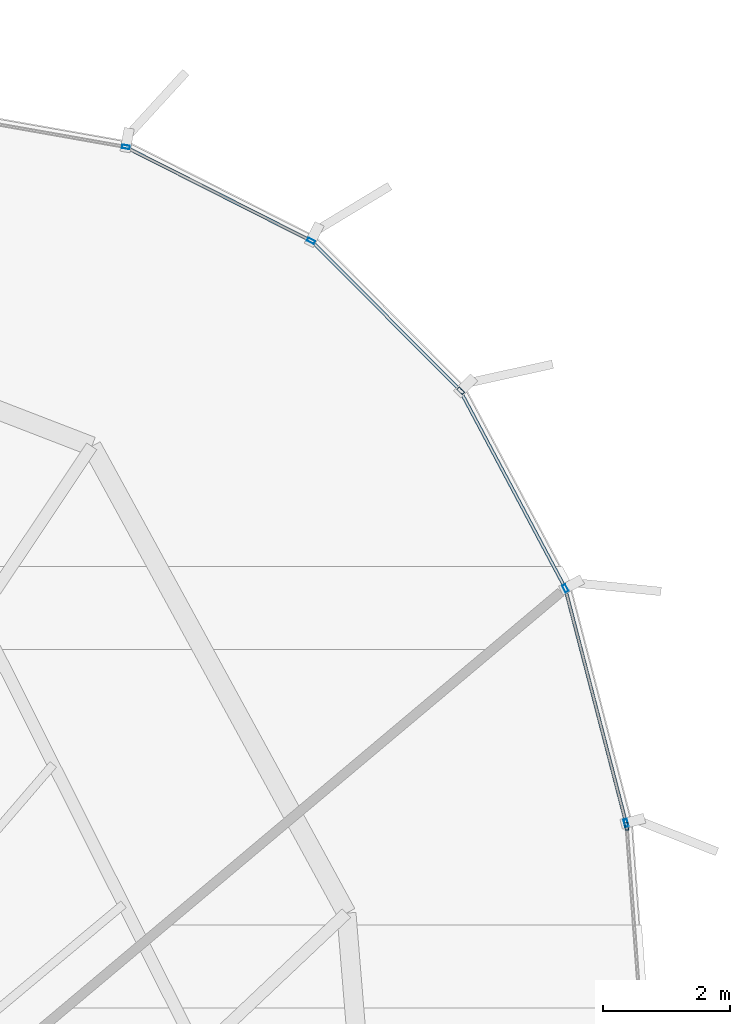
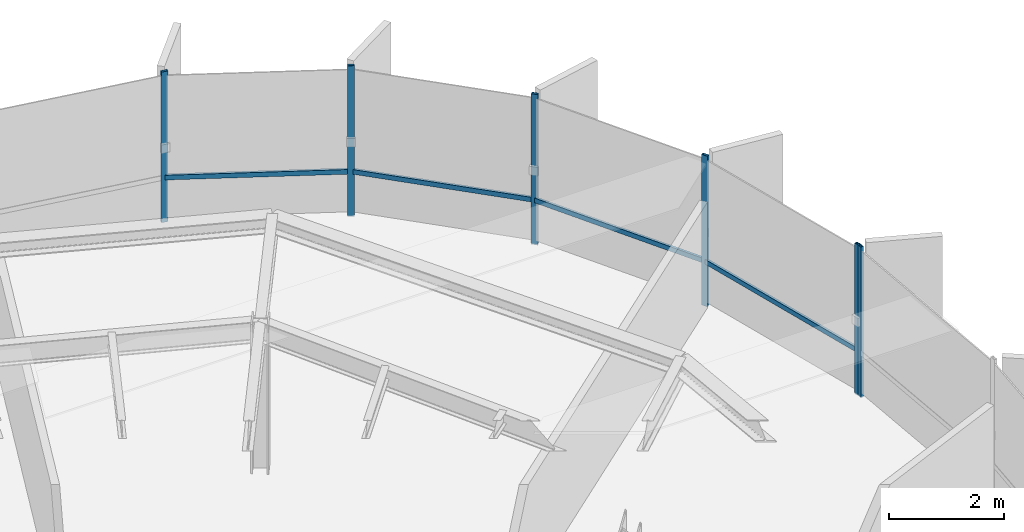
# One storey, part 24 of 32: 10 members, 3 elements without a shape of their own.
"""IFC4 building model written with IfcOpenShell, lengths in metres."""

import ifcopenshell
import ifcopenshell.guid

model = None  # the IFC model being written
_history = None  # IfcOwnerHistory: only IFC2X3 demands one
_inside = {}  # id of a spatial element -> (the spatial element, [elements in it])
_under = {}  # id of a project, library or spatial element -> (it, [spatial elements below it])
_declared = {}  # id of a project -> (the project, [libraries it declares])
_typed = {}  # id of a type object -> (the type object, [elements of that type])
_made_of = {}  # id of a material, layer set ... -> (it, [elements and type objects made of it])


def new_model(schema):
    """Start an empty IFC model of exactly this schema.

    Asked for "IFC4X3", IfcOpenShell would pick the latest addendum, in which some entities
    have other attributes; the version numbers below select the first issue.
    IFC2X3 requires an IfcOwnerHistory on every rooted entity: one is made here for all.
    """
    global model, _history
    if schema == "IFC4X3":
        model = ifcopenshell.file(schema_version=(4, 3, 0, 0))
    else:
        model = ifcopenshell.file(schema=schema)
    _inside.clear()
    _under.clear()
    _declared.clear()
    _typed.clear()
    _made_of.clear()
    _history = None
    if model.schema == "IFC2X3":
        org = make("IfcOrganization", Name="unknown")
        user = make(
            "IfcPersonAndOrganization",
            ThePerson=make("IfcPerson", FamilyName="unknown"),
            TheOrganization=org,
        )
        app = make(
            "IfcApplication",
            ApplicationDeveloper=org,
            Version="unknown",
            ApplicationFullName="unknown",
            ApplicationIdentifier="unknown",
        )
        _history = make(
            "IfcOwnerHistory",
            OwningUser=user,
            OwningApplication=app,
            ChangeAction="ADDED",
            CreationDate=0,
        )
    return model


def make(cls, **values):
    """One entity of the class cls with the attributes given. An attribute that is None is left unset."""
    return model.create_entity(
        cls, **{name: value for name, value in values.items() if value is not None}
    )


def rooted(cls, **values):
    """An entity with a GlobalId (a new one), such as an element, a storey or a relation."""
    return make(cls, GlobalId=ifcopenshell.guid.new(), OwnerHistory=_history, **values)


def si_unit(unit_type, name, prefix=None):
    """IfcSIUnit, for example si_unit("LENGTHUNIT", "METRE", prefix="MILLI")."""
    return make("IfcSIUnit", UnitType=unit_type, Prefix=prefix, Name=name)


def assignment(units):
    """IfcUnitAssignment: the units of a project."""
    return None if units is None else make("IfcUnitAssignment", Units=units)


def point(xyz):
    """IfcCartesianPoint."""
    return None if xyz is None else make("IfcCartesianPoint", Coordinates=xyz)


def direction(xyz):
    """IfcDirection."""
    return None if xyz is None else make("IfcDirection", DirectionRatios=xyz)


def frame(location, z_axis=None, x_axis=None):
    """IfcAxis2Placement3D, a coordinate frame: its origin and axes. An axis left out is left unset."""
    return make(
        "IfcAxis2Placement3D",
        Location=point(location),
        Axis=direction(z_axis),
        RefDirection=direction(x_axis),
    )


def frame_2d(location, x_axis=None):
    """IfcAxis2Placement2D, a coordinate frame in the plane: its origin and x axis."""
    return make(
        "IfcAxis2Placement2D", Location=point(location), RefDirection=direction(x_axis)
    )


def origin():
    """The frame at (0, 0, 0) with its axes left unset."""
    return frame((0.0, 0.0, 0.0))


def origin_2d():
    """The frame at (0, 0) in the plane with its x axis left unset."""
    return frame_2d((0.0, 0.0))


def place(relative_to, where):
    """IfcLocalPlacement: puts the frame where relative to a parent placement (None: the world)."""
    return make(
        "IfcLocalPlacement", PlacementRelTo=relative_to, RelativePlacement=where
    )


def context(
    kind, dimensions, precision=None, world=None, true_north=None, identifier=None
):
    """IfcGeometricRepresentationContext, for example the 3D "Model" context."""
    return make(
        "IfcGeometricRepresentationContext",
        ContextIdentifier=identifier,
        ContextType=kind,
        CoordinateSpaceDimension=dimensions,
        Precision=precision,
        WorldCoordinateSystem=world,
        TrueNorth=true_north,
    )


def subcontext(parent, identifier, kind, view, scale=None):
    """IfcGeometricRepresentationSubContext, for example "Body" below "Model"."""
    return make(
        "IfcGeometricRepresentationSubContext",
        ContextIdentifier=identifier,
        ContextType=kind,
        ParentContext=parent,
        TargetScale=scale,
        TargetView=view,
    )


def project(units=None, contexts=None):
    """IfcProject with its units and contexts."""
    return rooted(
        "IfcProject",
        Name="project",
        RepresentationContexts=contexts,
        UnitsInContext=assignment(units),
    )


def spatial(cls, under=None, at=None, **own):
    """A site, building, storey or space (cls), placed at a placement, below another one or the project."""
    s = rooted(cls, ObjectPlacement=at, **own)
    if under is not None:
        _under.setdefault(under.id(), (under, []))[1].append(s)
    return s


def profile(cls, at=None, kind="AREA", **sizes):
    """A parametric profile (cls). Its sizes go by their IFC names, for example OverallWidth=200.0."""
    return make(cls, ProfileType=kind, Position=at, **sizes)


def hollow_rectangle(**sizes):
    """IfcRectangleHollowProfileDef."""
    return profile("IfcRectangleHollowProfileDef", **sizes)


def extrude(swept, where, along, depth):
    """IfcExtrudedAreaSolid: the profile swept, set in the frame where, extruded along a direction by depth."""
    return make(
        "IfcExtrudedAreaSolid",
        SweptArea=swept,
        Position=where,
        ExtrudedDirection=direction(along),
        Depth=depth,
    )


def shape(context_of_items, identifier, shape_type, items):
    """IfcShapeRepresentation: the items that make up one representation, for example the "Body"."""
    return make(
        "IfcShapeRepresentation",
        ContextOfItems=context_of_items,
        RepresentationIdentifier=identifier,
        RepresentationType=shape_type,
        Items=items,
    )


def source(mapping_origin, context_of_items, identifier, shape_type, items):
    """IfcRepresentationMap: a shape defined once, which mapped items show again and again."""
    return make(
        "IfcRepresentationMap",
        MappingOrigin=mapping_origin,
        MappedRepresentation=shape(context_of_items, identifier, shape_type, items),
    )


def transform(
    local_origin,
    x_axis=None,
    y_axis=None,
    z_axis=None,
    scale=None,
    scale2=None,
    scale3=None,
    uniform=True,
):
    """IfcCartesianTransformationOperator3D, or its non-uniform kind. x_axis, y_axis, z_axis: its Axis1, 2, 3."""
    if uniform:
        return make(
            "IfcCartesianTransformationOperator3D",
            Axis1=direction(x_axis),
            Axis2=direction(y_axis),
            LocalOrigin=point(local_origin),
            Scale=scale,
            Axis3=direction(z_axis),
        )
    return make(
        "IfcCartesianTransformationOperator3DnonUniform",
        Axis1=direction(x_axis),
        Axis2=direction(y_axis),
        LocalOrigin=point(local_origin),
        Scale=scale,
        Axis3=direction(z_axis),
        Scale2=scale2,
        Scale3=scale3,
    )


def mapped(mapping_source, mapping_target):
    """IfcMappedItem: shows the shape of a source again, moved by a transform."""
    return make(
        "IfcMappedItem", MappingSource=mapping_source, MappingTarget=mapping_target
    )


def material(Name=None, Category=None):
    """IfcMaterial."""
    return make("IfcMaterial", Name=Name, Category=Category)


def layer(
    of_material, thickness, ventilated=None, Name=None, Category=None, Priority=None
):
    """IfcMaterialLayer: one layer of a wall or slab, of a material (None: an air gap)."""
    return make(
        "IfcMaterialLayer",
        Material=of_material,
        LayerThickness=thickness,
        IsVentilated=ventilated,
        Name=Name,
        Category=Category,
        Priority=Priority,
    )


def layer_set(layers, Name=None):
    """IfcMaterialLayerSet."""
    return make("IfcMaterialLayerSet", MaterialLayers=layers, LayerSetName=Name)


def material_profile(
    of_material, cross_section, Name=None, Category=None, Priority=None
):
    """IfcMaterialProfile: a cross section and its material."""
    return make(
        "IfcMaterialProfile",
        Name=Name,
        Material=of_material,
        Profile=cross_section,
        Priority=Priority,
        Category=Category,
    )


def profile_set(profiles, Name=None, composite=None):
    """IfcMaterialProfileSet."""
    return make(
        "IfcMaterialProfileSet",
        Name=Name,
        MaterialProfiles=profiles,
        CompositeProfile=composite,
    )


def made_of(thing, what):
    """Note that an element or type object is made of a material, layer set ...; save() writes the relation."""
    if what is not None:
        _made_of.setdefault(what.id(), (what, []))[1].append(thing)
    return thing


def type_object(cls, material=None, **own):
    """A type object (cls), such as IfcWallType, which elements share."""
    return made_of(rooted(cls, **own), material)


def element(
    cls,
    number,
    at=None,
    inside=None,
    cuts=None,
    type_object=None,
    material=None,
    context=None,
    identifier="Body",
    shape_type=None,
    held_by="IfcProductDefinitionShape",
    body=None,
    shapes=None,
    **own,
):
    """One element of the class cls, such as IfcWall. Its Tag is "e" and its number.

    at: its placement. inside: the storey or other place that contains it. cuts: it is an
    opening in that element (IfcRelVoidsElement). A single representation is given by context,
    identifier, shape_type and body (its items); several are given by shapes. held_by: the class
    of the entity that holds the representations. save() writes the other relations.
    """
    e = rooted(cls, Tag="e%d" % number, ObjectPlacement=at, **own)
    if body is not None:
        shapes = [shape(context, identifier, shape_type, body)]
    if shapes is not None:
        e.Representation = make(held_by, Representations=shapes)
    if inside is not None:
        _inside.setdefault(inside.id(), (inside, []))[1].append(e)
    if cuts is not None:
        rooted(
            "IfcRelVoidsElement", RelatingBuildingElement=cuts, RelatedOpeningElement=e
        )
    if type_object is not None:
        _typed.setdefault(type_object.id(), (type_object, []))[1].append(e)
    return made_of(e, material)


def aggregate(whole, parts):
    """IfcRelAggregates: a whole, such as a stair, and the parts it consists of."""
    return rooted("IfcRelAggregates", RelatingObject=whole, RelatedObjects=parts)


def save(model, path):
    """Write the relations noted so far, then the file.

    IfcRelAggregates (storeys below a building ...), IfcRelContainedInSpatialStructure (elements
    in a storey), IfcRelDefinesByType, IfcRelAssociatesMaterial and IfcRelDeclares: one each for
    every whole, place, type object, material and project.
    """
    for whole, parts in _under.values():
        aggregate(whole, parts)
    for where, things in _inside.values():
        rooted(
            "IfcRelContainedInSpatialStructure",
            RelatedElements=things,
            RelatingStructure=where,
        )
    for kind, things in _typed.values():
        rooted("IfcRelDefinesByType", RelatedObjects=things, RelatingType=kind)
    for what, things in _made_of.values():
        rooted("IfcRelAssociatesMaterial", RelatedObjects=things, RelatingMaterial=what)
    for by, libraries in _declared.values():
        rooted("IfcRelDeclares", RelatingContext=by, RelatedDefinitions=libraries)
    model.write(path)


model = new_model("IFC4")

# Units and contexts
model_context = context("Model", 3, precision=1e-05, world=origin(), true_north=direction((0.0, 1.0)))
body_context = subcontext(model_context, "Body", "Model", "MODEL_VIEW")
ifc_project = project(units=[si_unit("LENGTHUNIT", "METRE"), si_unit("AREAUNIT", "SQUARE_METRE"), si_unit("VOLUMEUNIT", "CUBIC_METRE"), si_unit("PLANEANGLEUNIT", "RADIAN"), si_unit("MASSUNIT", "GRAM", prefix="KILO"), si_unit("THERMODYNAMICTEMPERATUREUNIT", "KELVIN")], contexts=[model_context])

# Site, building, storey
site_placement = place(None, origin())
site = spatial("IfcSite", under=ifc_project, at=site_placement, CompositionType="ELEMENT")
building_placement = place(site_placement, origin())
building = spatial("IfcBuilding", under=site, at=building_placement, Name="Kethvar Cultural Tower", CompositionType="ELEMENT")
storey_placement = place(building_placement, frame((0.0, 0.0, 252.550048828125)))
storey = spatial("IfcBuildingStorey", under=building, at=storey_placement, Name="L66", CompositionType="ELEMENT", Elevation=252.550048828125)

# Curtain wall, members
ifc_material = material(Name="Aluminium 6063-T6", Category="aluminium")
ifc_layer = layer(ifc_material, 0.179931640625, Name="Aluminium 6063-T6", Category="aluminium")
ifc_layer_set = layer_set([ifc_layer], Name="Aluminium 6063-T6 (180 mm)")
curtain_wall_type = type_object("IfcCurtainWallType", Name="CW-SYS-05-Z56", PredefinedType="NOTDEFINED", material=ifc_layer_set)
curtain_wall_1_placement = place(storey_placement, origin())
curtain_wall_1 = element("IfcCurtainWall", 1, at=curtain_wall_1_placement, inside=storey, type_object=curtain_wall_type, Name="L66 Curtain Wall Run 01", PredefinedType="NOTDEFINED")
ifc_material_profile_1 = material_profile(ifc_material, hollow_rectangle(XDim=0.054931640625, YDim=0.1201171875, WallThickness=0.00390625, at=origin_2d()), Name="Aluminium 6063-T6 — RHS120x55x4")
ifc_profile_set_1 = profile_set([ifc_material_profile_1], Name="Aluminium 6063-T6 — RHS120x55x4")
member_type_1 = type_object("IfcMemberType", Name="CW-SYS-05-Z56-MUL", PredefinedType="MULLION", material=ifc_profile_set_1)
shared_shape_1 = source(origin(), body_context, "Body", "SweptSolid", [
    extrude(hollow_rectangle(XDim=0.054931640625, YDim=0.1201171875, WallThickness=0.00390625, at=origin_2d()), origin(), (0.0, 0.0, 1.0), 3.2099609375),
])
member_1_placement = place(storey_placement, frame((63.096435546875, 50.262939453125, 0.0), z_axis=(0.0, 0.0, 1.0), x_axis=(-0.451142356383, -0.892452001106, 0.0)))
member_1 = element("IfcMember", 2, at=member_1_placement, type_object=member_type_1, Name="CW-L66-R01 Mullion 1", PredefinedType="MULLION", context=body_context, shape_type="MappedRepresentation", body=[
    mapped(shared_shape_1, transform((0.0, 0.0, 0.0), scale=1.0)),
])
member_2_placement = place(storey_placement, frame((60.18896484375, 51.737548828125, 0.0), z_axis=(0.0, 0.0, 1.0), x_axis=(-0.17388880641, -0.984765293359, 0.0)))
member_2 = element("IfcMember", 3, at=member_2_placement, type_object=member_type_1, Name="CW-L66-R01 Mullion 2", PredefinedType="MULLION", context=body_context, shape_type="MappedRepresentation", body=[
    mapped(shared_shape_1, transform((0.0, 0.0, 0.0), scale=1.0)),
])

# Curtain wall, member
curtain_wall_2_placement = place(storey_placement, origin())
curtain_wall_2 = element("IfcCurtainWall", 4, at=curtain_wall_2_placement, inside=storey, type_object=curtain_wall_type, Name="L66 Curtain Wall Run 06", PredefinedType="NOTDEFINED")
member_3_placement = place(storey_placement, frame((68.053955078125, 41.06640625, 0.0), z_axis=(0.0, 0.0, 1.0), x_axis=(-0.997272129635, -0.073812596851, 0.0)))
member_3 = element("IfcMember", 5, at=member_3_placement, type_object=member_type_1, Name="CW-L66-R06 Mullion 7", PredefinedType="MULLION", context=body_context, shape_type="MappedRepresentation", body=[
    mapped(shared_shape_1, transform((0.0, 0.0, 0.0), scale=1.0)),
])
aggregate(curtain_wall_2, [member_3])

# Curtain wall, members
curtain_wall_3_placement = place(storey_placement, origin())
curtain_wall_3 = element("IfcCurtainWall", 6, at=curtain_wall_3_placement, inside=storey, type_object=curtain_wall_type, Name="L66 Curtain Wall Run 07", PredefinedType="NOTDEFINED")
member_4_placement = place(storey_placement, frame((68.04541015625, 41.118896484375, 0.0), z_axis=(0.0, 0.0, 1.0), x_axis=(-0.96792877399, -0.251224776808, 0.0)))
member_4 = element("IfcMember", 7, at=member_4_placement, type_object=member_type_1, Name="CW-L66-R07 Mullion 1", PredefinedType="MULLION", context=body_context, shape_type="MappedRepresentation", body=[
    mapped(shared_shape_1, transform((0.0, 0.0, 0.0), scale=1.0)),
])
member_5_placement = place(storey_placement, frame((67.09130859375, 44.80517578125, 0.0), z_axis=(0.0, 0.0, 1.0), x_axis=(-0.882841050414, -0.469671885154, 0.0)))
member_5 = element("IfcMember", 8, at=member_5_placement, type_object=member_type_1, Name="CW-L66-R07 Mullion 2", PredefinedType="MULLION", context=body_context, shape_type="MappedRepresentation", body=[
    mapped(shared_shape_1, transform((0.0, 0.0, 0.0), scale=1.0)),
])
member_6_placement = place(storey_placement, frame((65.44580078125, 47.9072265625, 0.0), z_axis=(0.0, 0.0, 1.0), x_axis=(-0.709361636127, -0.70484471282, 0.0)))
member_6 = element("IfcMember", 9, at=member_6_placement, type_object=member_type_1, Name="CW-L66-R07 Mullion 3", PredefinedType="MULLION", context=body_context, shape_type="MappedRepresentation", body=[
    mapped(shared_shape_1, transform((0.0, 0.0, 0.0), scale=1.0)),
])

# Member
ifc_material_profile_2 = material_profile(ifc_material, hollow_rectangle(XDim=0.050048828125, YDim=0.10009765625, WallThickness=0.00390625, at=origin_2d()), Name="Aluminium 6063-T6 — RHS100x50x4")
ifc_profile_set_2 = profile_set([ifc_material_profile_2], Name="Aluminium 6063-T6 — RHS100x50x4")
member_type_2 = type_object("IfcMemberType", Name="CW-SYS-05-Z56-TRN", PredefinedType="USERDEFINED", material=ifc_profile_set_2)
shared_shape_2 = source(origin(), body_context, "Body", "SweptSolid", [
    extrude(hollow_rectangle(XDim=0.050048828125, YDim=0.10009765625, WallThickness=0.00390625, at=origin_2d()), origin(), (0.0, 0.0, 1.0), 3.24560546875),
])
member_7_placement = place(storey_placement, frame((63.093017578125, 50.2646484375, 0.949951171875), z_axis=(-0.892432514806, 0.451180902209, 0.0), x_axis=(-0.451180902209, -0.892432514806, 0.0)))
member_7 = element("IfcMember", 10, at=member_7_placement, type_object=member_type_2, Name="CW-L66-R01 Transom 1", ObjectType="TRANSOM", PredefinedType="USERDEFINED", context=body_context, shape_type="MappedRepresentation", body=[
    mapped(shared_shape_2, transform((0.0, 0.0, 0.0), scale=1.0)),
])

aggregate(curtain_wall_1, [member_1, member_2, member_7])

member_8_placement = place(storey_placement, frame((65.41796875, 47.935302734375, 0.949951171875), z_axis=(-0.704846467782, 0.709359892336, 0.0), x_axis=(-0.709359892336, -0.704846467782, 0.0)))
member_8 = element("IfcMember", 11, at=member_8_placement, type_object=member_type_2, Name="CW-L66-R07 Transom 3", ObjectType="TRANSOM", PredefinedType="USERDEFINED", context=body_context, shape_type="MappedRepresentation", body=[
    mapped(shared_shape_2, transform((0.0, 0.0, 0.0), scale=1.0)),
])

shared_shape_3 = source(origin(), body_context, "Body", "SweptSolid", [
    extrude(hollow_rectangle(XDim=0.050048828125, YDim=0.10009765625, WallThickness=0.00390625, at=origin_2d()), origin(), (0.0, 0.0, 1.0), 3.461181640625),
])
member_9_placement = place(storey_placement, frame((67.07275390625, 44.840087890625, 0.949951171875), z_axis=(-0.469698365479, 0.882826962358, 0.0), x_axis=(-0.882826962358, -0.469698365479, 0.0)))
member_9 = element("IfcMember", 12, at=member_9_placement, type_object=member_type_2, Name="CW-L66-R07 Transom 2", ObjectType="TRANSOM", PredefinedType="USERDEFINED", context=body_context, shape_type="MappedRepresentation", body=[
    mapped(shared_shape_3, transform((0.0, 0.0, 0.0), scale=1.0)),
])

shared_shape_4 = source(origin(), body_context, "Body", "SweptSolid", [
    extrude(hollow_rectangle(XDim=0.050048828125, YDim=0.10009765625, WallThickness=0.00390625, at=origin_2d()), origin(), (0.0, 0.0, 1.0), 3.787841796875),
])
member_10_placement = place(storey_placement, frame((68.04443359375, 41.12255859375, 0.949951171875), z_axis=(-0.251246231214, 0.96792320527, 0.0), x_axis=(-0.96792320527, -0.251246231214, 0.0)))
member_10 = element("IfcMember", 13, at=member_10_placement, type_object=member_type_2, Name="CW-L66-R07 Transom 1", ObjectType="TRANSOM", PredefinedType="USERDEFINED", context=body_context, shape_type="MappedRepresentation", body=[
    mapped(shared_shape_4, transform((0.0, 0.0, 0.0), scale=1.0)),
])

aggregate(curtain_wall_3, [member_4, member_5, member_6, member_10, member_9, member_8])

save(model, "model.ifc")
